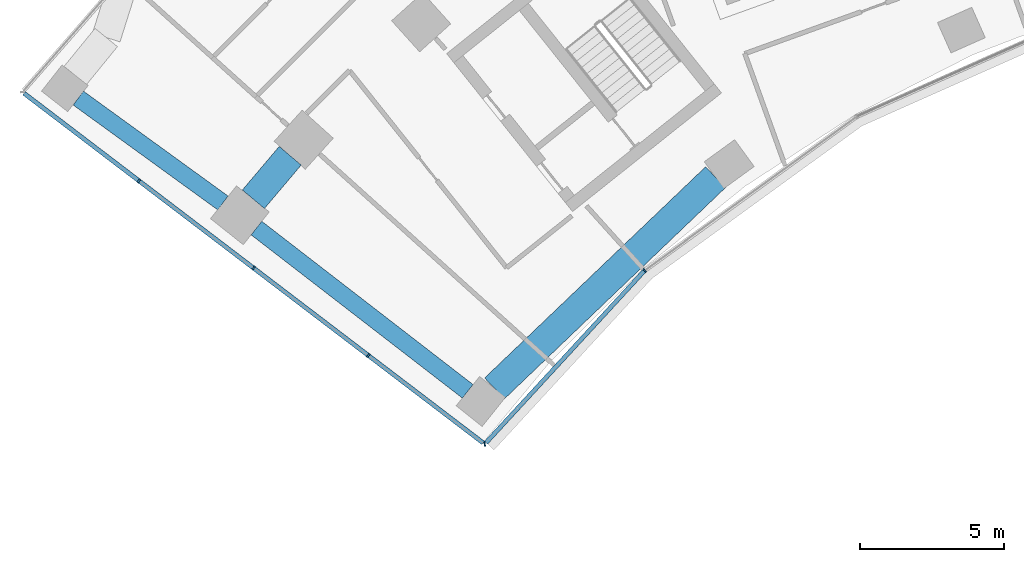
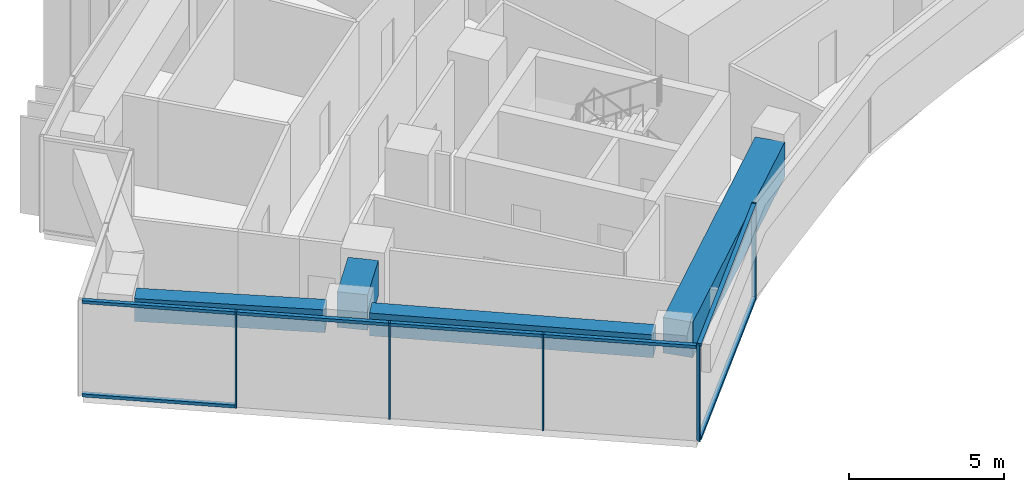
# One storey, part 2 of 23: 12 members, 4 beams, 2 elements without a shape of their own.
"""IFC4 building model written with IfcOpenShell, lengths in metres."""

from ifc_helpers import new_model, si_unit, direction, frame, origin, origin_2d, place, context, subcontext, project, spatial, rectangle, extrude, material, layer, layer_set, material_profile, profile_set, type_object, element, aggregate, save


model = new_model("IFC4")

# Units and contexts
model_context = context("Model", 3, precision=1e-05, world=origin(), true_north=direction((0.0, 1.0)))
body_context = subcontext(model_context, "Body", "Model", "MODEL_VIEW")
ifc_project = project(units=[si_unit("LENGTHUNIT", "METRE"), si_unit("AREAUNIT", "SQUARE_METRE"), si_unit("VOLUMEUNIT", "CUBIC_METRE"), si_unit("PLANEANGLEUNIT", "RADIAN"), si_unit("MASSUNIT", "GRAM", prefix="KILO")], contexts=[model_context])

# Site, building, storey
site_placement = place(None, origin())
site = spatial("IfcSite", under=ifc_project, at=site_placement, CompositionType="ELEMENT")
building_placement = place(site_placement, origin())
building = spatial("IfcBuilding", under=site, at=building_placement, Name="Stone Belt Terrace Tower", CompositionType="ELEMENT")
storey_placement = place(building_placement, frame((0.0, 0.0, 98.39990234375)))
storey = spatial("IfcBuildingStorey", under=building, at=storey_placement, Name="L23", CompositionType="ELEMENT", Elevation=98.39990234375)

# Curtain wall, members
ifc_material_1 = material(Name="Aluminium 6063-T6 anodised frame", Category="aluminium")
ifc_layer_1 = layer(ifc_material_1, 0.14990234375)
ifc_layer_set_1 = layer_set([ifc_layer_1], Name="CW-B unitised concave-face curtain wall")
curtain_wall_type_1 = type_object("IfcCurtainWallType", Name="CW-B unitised concave-face curtain wall", PredefinedType="NOTDEFINED", material=ifc_layer_set_1)
curtain_wall_1_placement = place(storey_placement, origin())
curtain_wall_1 = element("IfcCurtainWall", 1, at=curtain_wall_1_placement, inside=storey, type_object=curtain_wall_type_1, Name="CW-B concave face L23", PredefinedType="NOTDEFINED")
ifc_material_profile_1 = material_profile(ifc_material_1, rectangle(XDim=0.14990234375, YDim=0.050048828125, at=origin_2d()), Name="Aluminium 6063-T6 50x150")
ifc_profile_set_1 = profile_set([ifc_material_profile_1], Name="Aluminium 6063-T6 anodised frame")
member_type_1 = type_object("IfcMemberType", Name="CW-B mullion 50 x 150", PredefinedType="MULLION", material=ifc_profile_set_1)
member_1_placement = place(storey_placement, frame((-34.599853515625, 26.252197265625, 0.0), z_axis=(0.0, 0.0, 1.0), x_axis=(-0.087748408803, 0.996142668875, 0.0)))
member_1 = element("IfcMember", 2, at=member_1_placement, type_object=member_type_1, Name="CW-B mullion 1", PredefinedType="MULLION", context=body_context, shape_type="SweptSolid", body=[
    extrude(rectangle(XDim=0.14990234375, YDim=0.050048828125, at=origin_2d()), origin(), (0.0, 0.0, 1.0), 3.800048828125),
])
member_2_placement = place(storey_placement, frame((-29.05712890625, 32.2705078125, 0.0), z_axis=(0.0, 0.0, 1.0), x_axis=(-0.664943998932, 0.746893217458, 0.0)))
member_2 = element("IfcMember", 3, at=member_2_placement, type_object=member_type_1, Name="CW-B mullion 2", PredefinedType="MULLION", context=body_context, shape_type="SweptSolid", body=[
    extrude(rectangle(XDim=0.14990234375, YDim=0.050048828125, at=origin_2d()), origin(), (0.0, 0.0, 1.0), 3.800048828125),
])
ifc_material_profile_2 = material_profile(ifc_material_1, rectangle(XDim=0.14990234375, YDim=0.1201171875, at=origin_2d()), Name="Aluminium 6063-T6 150x120")
ifc_profile_set_2 = profile_set([ifc_material_profile_2], Name="Aluminium 6063-T6 anodised frame")
member_type_2 = type_object("IfcMemberType", Name="CW-B transom 120 x 150", PredefinedType="USERDEFINED", material=ifc_profile_set_2)
member_3_placement = place(storey_placement, frame((-34.552978515625, 26.302978515625, 0.06005859375), z_axis=(0.677443921984, 0.73557442354, 0.0), x_axis=(-0.73557442354, 0.677443921984, 0.0)))
member_3 = element("IfcMember", 4, at=member_3_placement, type_object=member_type_2, Name="CW-B transom 1.1", ObjectType="TRANSOM", PredefinedType="USERDEFINED", context=body_context, shape_type="SweptSolid", body=[
    extrude(rectangle(XDim=0.14990234375, YDim=0.1201171875, at=origin_2d()), origin(), (0.0, 0.0, 1.0), 8.08056640625),
])
member_4_placement = place(storey_placement, frame((-34.552978515625, 26.302978515625, 3.739990234375), z_axis=(0.677443921984, 0.73557442354, 0.0), x_axis=(-0.73557442354, 0.677443921984, 0.0)))
member_4 = element("IfcMember", 5, at=member_4_placement, type_object=member_type_2, Name="CW-B transom 1.2", ObjectType="TRANSOM", PredefinedType="USERDEFINED", context=body_context, shape_type="SweptSolid", body=[
    extrude(rectangle(XDim=0.14990234375, YDim=0.1201171875, at=origin_2d()), origin(), (0.0, 0.0, 1.0), 8.08056640625),
])
aggregate(curtain_wall_1, [member_1, member_2, member_3, member_4])

ifc_layer_2 = layer(ifc_material_1, 0.14990234375)
ifc_layer_set_2 = layer_set([ifc_layer_2], Name="CW-C stick curtain wall, horn ends and notches")
curtain_wall_type_2 = type_object("IfcCurtainWallType", Name="CW-C stick curtain wall, horn ends and notches", PredefinedType="NOTDEFINED", material=ifc_layer_set_2)
curtain_wall_2_placement = place(storey_placement, origin())
curtain_wall_2 = element("IfcCurtainWall", 6, at=curtain_wall_2_placement, inside=storey, type_object=curtain_wall_type_2, Name="CW-C end face L23", PredefinedType="NOTDEFINED")
ifc_material_profile_3 = material_profile(ifc_material_1, rectangle(XDim=0.14990234375, YDim=0.06005859375, at=origin_2d()), Name="Aluminium 6063-T6 60x150")
ifc_profile_set_3 = profile_set([ifc_material_profile_3], Name="Aluminium 6063-T6 anodised frame")
member_type_3 = type_object("IfcMemberType", Name="CW-C mullion 60 x 150", PredefinedType="MULLION", material=ifc_profile_set_3)
member_5_placement = place(storey_placement, frame((-46.588134765625, 35.380859375, 0.0), z_axis=(0.0, 0.0, 1.0), x_axis=(0.605820156644, 0.795601620036, 0.0)))
member_5 = element("IfcMember", 7, at=member_5_placement, type_object=member_type_3, Name="CW-C mullion 2", PredefinedType="MULLION", context=body_context, shape_type="SweptSolid", body=[
    extrude(rectangle(XDim=0.14990234375, YDim=0.06005859375, at=origin_2d()), origin(), (0.0, 0.0, 1.0), 3.800048828125),
])
member_6_placement = place(storey_placement, frame((-42.610107421875, 32.351806640625, 0.0), z_axis=(0.0, 0.0, 1.0), x_axis=(0.605820156644, 0.795601620036, 0.0)))
member_6 = element("IfcMember", 8, at=member_6_placement, type_object=member_type_3, Name="CW-C mullion 3", PredefinedType="MULLION", context=body_context, shape_type="SweptSolid", body=[
    extrude(rectangle(XDim=0.14990234375, YDim=0.06005859375, at=origin_2d()), origin(), (0.0, 0.0, 1.0), 3.800048828125),
])
member_7_placement = place(storey_placement, frame((-38.632080078125, 29.322509765625, 0.0), z_axis=(0.0, 0.0, 1.0), x_axis=(0.605820156644, 0.795601620036, 0.0)))
member_7 = element("IfcMember", 9, at=member_7_placement, type_object=member_type_3, Name="CW-C mullion 4", PredefinedType="MULLION", context=body_context, shape_type="SweptSolid", body=[
    extrude(rectangle(XDim=0.14990234375, YDim=0.06005859375, at=origin_2d()), origin(), (0.0, 0.0, 1.0), 3.800048828125),
])
ifc_material_profile_4 = material_profile(ifc_material_1, rectangle(XDim=0.14990234375, YDim=0.1201171875, at=origin_2d()), Name="Aluminium 6063-T6 150x120")
ifc_profile_set_4 = profile_set([ifc_material_profile_4], Name="Aluminium 6063-T6 anodised frame")
member_type_4 = type_object("IfcMemberType", Name="CW-C transom 120 x 150", PredefinedType="USERDEFINED", material=ifc_profile_set_4)
member_8_placement = place(storey_placement, frame((-50.570068359375, 38.412841796875, 0.06005859375), z_axis=(0.795597290683, -0.605825842184, 0.0), x_axis=(0.605825842184, 0.795597290683, 0.0)))
member_8 = element("IfcMember", 10, at=member_8_placement, type_object=member_type_4, Name="CW-C transom 1.1", ObjectType="TRANSOM", PredefinedType="USERDEFINED", context=body_context, shape_type="SweptSolid", body=[
    extrude(rectangle(XDim=0.14990234375, YDim=0.1201171875, at=origin_2d()), origin(), (0.0, 0.0, 1.0), 4.974853515625),
])
member_9_placement = place(storey_placement, frame((-50.570068359375, 38.412841796875, 3.739990234375), z_axis=(0.795597290683, -0.605825842184, 0.0), x_axis=(0.605825842184, 0.795597290683, 0.0)))
member_9 = element("IfcMember", 11, at=member_9_placement, type_object=member_type_4, Name="CW-C transom 1.2", ObjectType="TRANSOM", PredefinedType="USERDEFINED", context=body_context, shape_type="SweptSolid", body=[
    extrude(rectangle(XDim=0.14990234375, YDim=0.1201171875, at=origin_2d()), origin(), (0.0, 0.0, 1.0), 4.974853515625),
])
member_10_placement = place(storey_placement, frame((-46.564208984375, 35.362548828125, 3.739990234375), z_axis=(0.795601866249, -0.605819833301, 0.0), x_axis=(0.605819833301, 0.795601866249, 0.0)))
member_10 = element("IfcMember", 12, at=member_10_placement, type_object=member_type_4, Name="CW-C transom 2.1", ObjectType="TRANSOM", PredefinedType="USERDEFINED", context=body_context, shape_type="SweptSolid", body=[
    extrude(rectangle(XDim=0.14990234375, YDim=0.1201171875, at=origin_2d()), origin(), (0.0, 0.0, 1.0), 4.93994140625),
])
member_11_placement = place(storey_placement, frame((-42.586181640625, 32.33349609375, 3.739990234375), z_axis=(0.795601866249, -0.605819833301, 0.0), x_axis=(0.605819833301, 0.795601866249, 0.0)))
member_11 = element("IfcMember", 13, at=member_11_placement, type_object=member_type_4, Name="CW-C transom 3.1", ObjectType="TRANSOM", PredefinedType="USERDEFINED", context=body_context, shape_type="SweptSolid", body=[
    extrude(rectangle(XDim=0.14990234375, YDim=0.1201171875, at=origin_2d()), origin(), (0.0, 0.0, 1.0), 4.93994140625),
])
member_12_placement = place(storey_placement, frame((-38.608154296875, 29.304443359375, 3.739990234375), z_axis=(0.795600983002, -0.605820993236, 0.0), x_axis=(0.605820993236, 0.795600983002, 0.0)))
member_12 = element("IfcMember", 14, at=member_12_placement, type_object=member_type_4, Name="CW-C transom 4.1", ObjectType="TRANSOM", PredefinedType="USERDEFINED", context=body_context, shape_type="SweptSolid", body=[
    extrude(rectangle(XDim=0.14990234375, YDim=0.1201171875, at=origin_2d()), origin(), (0.0, 0.0, 1.0), 4.965576171875),
])
aggregate(curtain_wall_2, [member_5, member_6, member_7, member_8, member_9, member_10, member_11, member_12])

# Beams
ifc_material_2 = material(Name="Concrete B60", Category="concrete")
ifc_material_profile_5 = material_profile(ifc_material_2, rectangle(XDim=0.60009765625, YDim=0.89990234375, at=origin_2d()), Name="RC 600x900")
ifc_profile_set_5 = profile_set([ifc_material_profile_5], Name="Concrete B60")
beam_type_1 = type_object("IfcBeamType", Name="Edge beam RC 600x900 B60", PredefinedType="SPANDREL", material=ifc_profile_set_5)
beam_1_placement = place(storey_placement, frame((-35.1884765625, 28.081787109375, 3.030029296875), z_axis=(-0.791285581483, 0.61144675037, 0.0), x_axis=(-0.61144675037, -0.791285581483, 0.0)))
element("IfcBeam", 15, at=beam_1_placement, inside=storey, type_object=beam_type_1, Name="Edge beam L23 A P to Q", PredefinedType="SPANDREL", context=body_context, shape_type="SweptSolid", body=[
    extrude(rectangle(XDim=0.60009765625, YDim=0.89990234375, at=origin_2d()), origin(), (0.0, 0.0, 1.0), 9.255859375),
])
beam_2_placement = place(storey_placement, frame((-43.673583984375, 34.610595703125, 3.030029296875), z_axis=(-0.809517715387, 0.587095450905, 0.0), x_axis=(-0.587095450905, -0.809517715387, 0.0)))
element("IfcBeam", 16, at=beam_2_placement, inside=storey, type_object=beam_type_1, Name="Edge beam L23 A Q to R", PredefinedType="SPANDREL", context=body_context, shape_type="SweptSolid", body=[
    extrude(rectangle(XDim=0.60009765625, YDim=0.89990234375, at=origin_2d()), origin(), (0.0, 0.0, 1.0), 6.194091796875),
])
ifc_material_3 = material(Name="Concrete B80", Category="concrete")
ifc_material_profile_6 = material_profile(ifc_material_3, rectangle(XDim=1.0, YDim=1.39990234375, at=origin_2d()), Name="RC 1000x1400")
ifc_profile_set_6 = profile_set([ifc_material_profile_6], Name="Concrete B80")
beam_type_2 = type_object("IfcBeamType", Name="Transfer beam RC 1000x1400 B80", PredefinedType="BEAM", material=ifc_profile_set_6)
beam_3_placement = place(storey_placement, frame((-34.259033203125, 28.18310546875, 2.780029296875), z_axis=(0.722972533083, 0.690876773678, 0.0), x_axis=(-0.690876773678, 0.722972533083, 0.0)))
element("IfcBeam", 17, at=beam_3_placement, inside=storey, type_object=beam_type_2, Name="Transfer beam L23 PPA-P16", PredefinedType="BEAM", context=body_context, shape_type="SweptSolid", body=[
    extrude(rectangle(XDim=1.0, YDim=1.39990234375, at=origin_2d()), origin(), (0.0, 0.0, 1.0), 10.595947265625),
])
beam_4_placement = place(storey_placement, frame((-42.617919921875, 34.738525390625, 2.780029296875), z_axis=(0.645682042305, 0.763606377819, 0.0), x_axis=(-0.763606377819, 0.645682042305, 0.0)))
element("IfcBeam", 18, at=beam_4_placement, inside=storey, type_object=beam_type_2, Name="Transfer beam L23 QQA-Q14", PredefinedType="BEAM", context=body_context, shape_type="SweptSolid", body=[
    extrude(rectangle(XDim=1.0, YDim=1.39990234375, at=origin_2d()), origin(), (0.0, 0.0, 1.0), 1.97705078125),
])

save(model, "model.ifc")
